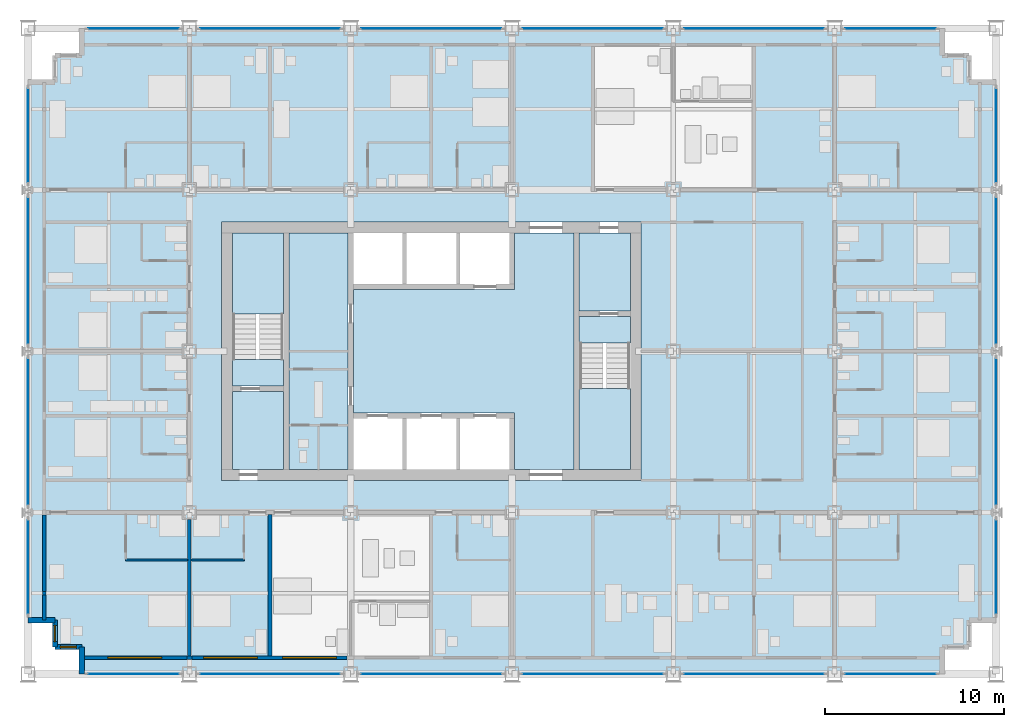
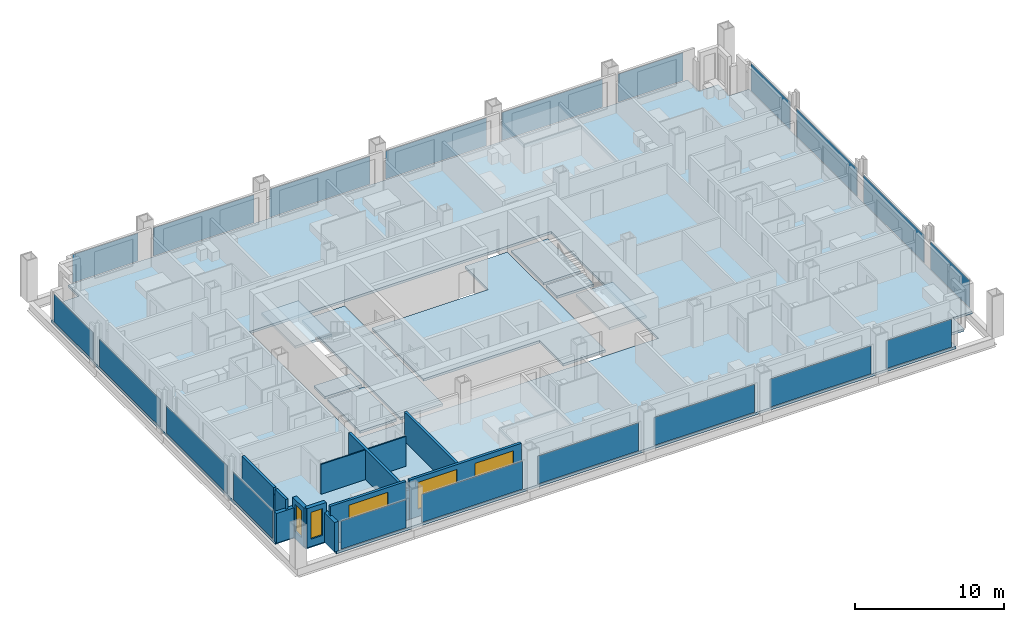
# One storey, part 9 of 18: 20 plates, 14 walls, 9 slabs, 5 windows, 5 openings, 22 elements without a shape of their own.
"""IFC4 building model written with IfcOpenShell, lengths in metres."""

from ifc_helpers import new_model, si_unit, direction, frame, frame_2d, origin, origin_2d, place, context, subcontext, project, spatial, polyline, rectangle, outline, extrude, material, layer, layer_set, type_object, element, fill, aggregate, save


model = new_model("IFC4")

# Units and contexts
model_context = context("Model", 3, precision=1e-05, world=origin(), true_north=direction((0.0, 1.0)))
body_context = subcontext(model_context, "Body", "Model", "MODEL_VIEW")
ifc_project = project(units=[si_unit("LENGTHUNIT", "METRE"), si_unit("AREAUNIT", "SQUARE_METRE"), si_unit("VOLUMEUNIT", "CUBIC_METRE"), si_unit("PLANEANGLEUNIT", "RADIAN"), si_unit("MASSUNIT", "GRAM", prefix="KILO")], contexts=[model_context])

# Site, building, storey
site_placement = place(None, origin())
site = spatial("IfcSite", under=ifc_project, at=site_placement, CompositionType="ELEMENT")
building_placement = place(site_placement, origin())
building = spatial("IfcBuilding", under=site, at=building_placement, Name="Loomwork Tower", CompositionType="ELEMENT")
storey_placement = place(building_placement, frame((0.0, 0.0, 58.60009765625)))
storey = spatial("IfcBuildingStorey", under=building, at=storey_placement, Name="L14", CompositionType="ELEMENT", Elevation=58.60009765625)

# Slabs
ifc_material_1 = material(Name="Concrete 5000 psi (34 MPa) on composite metal deck", Category="concrete")
ifc_layer_1 = layer(ifc_material_1, 0.199951171875)
ifc_layer_set_1 = layer_set([ifc_layer_1], Name="Floor slab 200")
slab_type_1 = type_object("IfcSlabType", Name="Floor slab 200", PredefinedType="FLOOR", material=ifc_layer_set_1)
slab_1_placement = place(storey_placement, frame((0.0, 0.0, -0.2001953125)))
element("IfcSlab", 1, at=slab_1_placement, inside=storey, type_object=slab_type_1, Name="Floor slab L14", PredefinedType="FLOOR", context=body_context, shape_type="SweptSolid", body=[
    extrude(outline(polyline([(3.0, 1.5), (1.5, 1.5), (1.5, 3.0), (0.0, 3.0), (0.0, 33.0), (1.5, 33.0), (1.5, 34.5), (3.0, 34.5), (3.0, 36.0), (51.0, 36.0), (51.0, 34.5), (52.5, 34.5), (52.5, 33.0), (54.0, 33.0), (54.0, 3.0), (52.5, 3.0), (52.5, 1.5), (51.0, 1.5), (51.0, 0.0), (3.0, 0.0), (3.0, 1.5)]), holes=[polyline([(10.800048828125, 11.39990234375), (10.800048828125, 11.39990234375), (10.800048828125, 10.800048828125), (34.199951171875, 10.800048828125), (34.199951171875, 11.39990234375), (34.199951171875, 11.39990234375), (34.199951171875, 24.60009765625), (34.199951171875, 25.199951171875), (10.800048828125, 25.199951171875), (10.800048828125, 24.60009765625), (10.800048828125, 11.39990234375)])]), origin(), (0.0, 0.0, 1.0), 0.2001953125),
])
slab_2_placement = place(storey_placement, frame((0.0, 0.0, -0.2001953125)))
element("IfcSlab", 2, at=slab_2_placement, inside=storey, type_object=slab_type_1, Name="Floor slab L14", PredefinedType="FLOOR", context=body_context, shape_type="SweptSolid", body=[
    extrude(outline(polyline([(30.449951171875, 24.60009765625), (30.449951171875, 11.39990234375), (27.14990234375, 11.39990234375), (27.14990234375, 14.25), (27.14990234375, 14.550048828125), (18.14990234375, 14.550048828125), (18.14990234375, 21.449951171875), (27.14990234375, 21.449951171875), (27.14990234375, 21.75), (27.14990234375, 24.60009765625), (30.449951171875, 24.60009765625)])), origin(), (0.0, 0.0, 1.0), 0.2001953125),
])
slab_3_placement = place(storey_placement, frame((0.0, 0.0, -0.2001953125)))
element("IfcSlab", 3, at=slab_3_placement, inside=storey, type_object=slab_type_1, Name="Floor slab L14", PredefinedType="FLOOR", context=body_context, shape_type="SweptSolid", body=[
    extrude(outline(polyline([(14.550048828125, 11.39990234375), (14.550048828125, 24.60009765625), (17.85009765625, 24.60009765625), (17.85009765625, 11.39990234375), (14.550048828125, 11.39990234375)])), origin(), (0.0, 0.0, 1.0), 0.2001953125),
])
slab_4_placement = place(storey_placement, frame((0.0, 0.0, -0.2001953125)))
element("IfcSlab", 4, at=slab_4_placement, inside=storey, type_object=slab_type_1, Name="Floor slab L14", PredefinedType="FLOOR", context=body_context, shape_type="SweptSolid", body=[
    extrude(outline(polyline([(33.60009765625, 20.25), (30.75, 20.25), (30.75, 24.60009765625), (33.60009765625, 24.60009765625), (33.60009765625, 20.25)])), origin(), (0.0, 0.0, 1.0), 0.2001953125),
])
slab_5_placement = place(storey_placement, frame((0.0, 0.0, -0.2001953125)))
element("IfcSlab", 5, at=slab_5_placement, inside=storey, type_object=slab_type_1, Name="Floor slab L14", PredefinedType="FLOOR", context=body_context, shape_type="SweptSolid", body=[
    extrude(outline(polyline([(14.25, 15.75), (14.25, 11.39990234375), (11.39990234375, 11.39990234375), (11.39990234375, 15.75), (14.25, 15.75)])), origin(), (0.0, 0.0, 1.0), 0.2001953125),
])

# Curtain wall, plate
ifc_material_2 = material(Name="Aluminium curtain wall frame", Category="aluminium")
curtain_wall_type = type_object("IfcCurtainWallType", Name="Outer skin glazing hotel", PredefinedType="NOTDEFINED", material=ifc_material_2)
curtain_wall_1_placement = place(storey_placement, origin())
curtain_wall_1 = element("IfcCurtainWall", 6, at=curtain_wall_1_placement, inside=storey, type_object=curtain_wall_type, Name="Outer skin glazing hotel cw/S-0", PredefinedType="NOTDEFINED")
ifc_material_3 = material(Name="Clear laminated glass", Category="glass")
ifc_layer_2 = layer(ifc_material_3, 0.02392578125)
ifc_layer_set_2 = layer_set([ifc_layer_2], Name="Outer skin glazing hotel panel")
plate_type = type_object("IfcPlateType", Name="Outer skin glazing hotel panel", PredefinedType="CURTAIN_PANEL", material=ifc_layer_set_2)
plate_1_placement = place(storey_placement, frame((5.875, 0.0, 0.06494140625), z_axis=(0.0, 0.0, 1.0), x_axis=(1.0, 0.0, 0.0)))
plate_1 = element("IfcPlate", 7, at=plate_1_placement, type_object=plate_type, Name="CW1 panel 1.1", PredefinedType="CURTAIN_PANEL", context=body_context, shape_type="SweptSolid", body=[
    extrude(rectangle(XDim=5.050048828125, YDim=0.02392578125, at=origin_2d()), origin(), (0.0, 0.0, 1.0), 2.290283203125),
])
aggregate(curtain_wall_1, [plate_1])

curtain_wall_2_placement = place(storey_placement, origin())
curtain_wall_2 = element("IfcCurtainWall", 8, at=curtain_wall_2_placement, inside=storey, type_object=curtain_wall_type, Name="Outer skin glazing hotel cw/S-9", PredefinedType="NOTDEFINED")
plate_2_placement = place(storey_placement, frame((13.5, 0.0, 0.06494140625), z_axis=(0.0, 0.0, 1.0), x_axis=(1.0, 0.0, 0.0)))
plate_2 = element("IfcPlate", 9, at=plate_2_placement, type_object=plate_type, Name="CW1 panel 1.1", PredefinedType="CURTAIN_PANEL", context=body_context, shape_type="SweptSolid", body=[
    extrude(rectangle(XDim=7.800048828125, YDim=0.02392578125, at=origin_2d()), origin(), (0.0, 0.0, 1.0), 2.290283203125),
])
aggregate(curtain_wall_2, [plate_2])

curtain_wall_3_placement = place(storey_placement, origin())
curtain_wall_3 = element("IfcCurtainWall", 10, at=curtain_wall_3_placement, inside=storey, type_object=curtain_wall_type, Name="Outer skin glazing hotel cw/S-18", PredefinedType="NOTDEFINED")
plate_3_placement = place(storey_placement, frame((22.5, 0.0, 0.06494140625), z_axis=(0.0, 0.0, 1.0), x_axis=(1.0, 0.0, 0.0)))
plate_3 = element("IfcPlate", 11, at=plate_3_placement, type_object=plate_type, Name="CW1 panel 1.1", PredefinedType="CURTAIN_PANEL", context=body_context, shape_type="SweptSolid", body=[
    extrude(rectangle(XDim=7.800048828125, YDim=0.02392578125, at=origin_2d()), origin(), (0.0, 0.0, 1.0), 2.290283203125),
])
aggregate(curtain_wall_3, [plate_3])

curtain_wall_4_placement = place(storey_placement, origin())
curtain_wall_4 = element("IfcCurtainWall", 12, at=curtain_wall_4_placement, inside=storey, type_object=curtain_wall_type, Name="Outer skin glazing hotel cw/S-27", PredefinedType="NOTDEFINED")
plate_4_placement = place(storey_placement, frame((31.5, 0.0, 0.06494140625), z_axis=(0.0, 0.0, 1.0), x_axis=(1.0, 0.0, 0.0)))
plate_4 = element("IfcPlate", 13, at=plate_4_placement, type_object=plate_type, Name="CW1 panel 1.1", PredefinedType="CURTAIN_PANEL", context=body_context, shape_type="SweptSolid", body=[
    extrude(rectangle(XDim=7.800048828125, YDim=0.02392578125, at=origin_2d()), origin(), (0.0, 0.0, 1.0), 2.290283203125),
])
aggregate(curtain_wall_4, [plate_4])

curtain_wall_5_placement = place(storey_placement, origin())
curtain_wall_5 = element("IfcCurtainWall", 14, at=curtain_wall_5_placement, inside=storey, type_object=curtain_wall_type, Name="Outer skin glazing hotel cw/S-36", PredefinedType="NOTDEFINED")
plate_5_placement = place(storey_placement, frame((40.5, 0.0, 0.06494140625), z_axis=(0.0, 0.0, 1.0), x_axis=(1.0, 0.0, 0.0)))
plate_5 = element("IfcPlate", 15, at=plate_5_placement, type_object=plate_type, Name="CW1 panel 1.1", PredefinedType="CURTAIN_PANEL", context=body_context, shape_type="SweptSolid", body=[
    extrude(rectangle(XDim=7.800048828125, YDim=0.02392578125, at=origin_2d()), origin(), (0.0, 0.0, 1.0), 2.290283203125),
])
aggregate(curtain_wall_5, [plate_5])

curtain_wall_6_placement = place(storey_placement, origin())
curtain_wall_6 = element("IfcCurtainWall", 16, at=curtain_wall_6_placement, inside=storey, type_object=curtain_wall_type, Name="Outer skin glazing hotel cw/S-45", PredefinedType="NOTDEFINED")
plate_6_placement = place(storey_placement, frame((48.125, 0.0, 0.06494140625), z_axis=(0.0, 0.0, 1.0), x_axis=(1.0, 0.0, 0.0)))
plate_6 = element("IfcPlate", 17, at=plate_6_placement, type_object=plate_type, Name="CW1 panel 1.1", PredefinedType="CURTAIN_PANEL", context=body_context, shape_type="SweptSolid", body=[
    extrude(rectangle(XDim=5.050048828125, YDim=0.02392578125, at=origin_2d()), origin(), (0.0, 0.0, 1.0), 2.290283203125),
])
aggregate(curtain_wall_6, [plate_6])

curtain_wall_7_placement = place(storey_placement, origin())
curtain_wall_7 = element("IfcCurtainWall", 18, at=curtain_wall_7_placement, inside=storey, type_object=curtain_wall_type, Name="Outer skin glazing hotel cw/N-0", PredefinedType="NOTDEFINED")
plate_7_placement = place(storey_placement, frame((5.875, 36.0, 0.06494140625), z_axis=(0.0, 0.0, 1.0), x_axis=(-1.0, 0.0, 0.0)))
plate_7 = element("IfcPlate", 19, at=plate_7_placement, type_object=plate_type, Name="CW1 panel 1.1", PredefinedType="CURTAIN_PANEL", context=body_context, shape_type="SweptSolid", body=[
    extrude(rectangle(XDim=5.050048828125, YDim=0.02392578125, at=origin_2d()), origin(), (0.0, 0.0, 1.0), 2.290283203125),
])
aggregate(curtain_wall_7, [plate_7])

curtain_wall_8_placement = place(storey_placement, origin())
curtain_wall_8 = element("IfcCurtainWall", 20, at=curtain_wall_8_placement, inside=storey, type_object=curtain_wall_type, Name="Outer skin glazing hotel cw/N-9", PredefinedType="NOTDEFINED")
plate_8_placement = place(storey_placement, frame((13.5, 36.0, 0.06494140625), z_axis=(0.0, 0.0, 1.0), x_axis=(-1.0, 0.0, 0.0)))
plate_8 = element("IfcPlate", 21, at=plate_8_placement, type_object=plate_type, Name="CW1 panel 1.1", PredefinedType="CURTAIN_PANEL", context=body_context, shape_type="SweptSolid", body=[
    extrude(rectangle(XDim=7.800048828125, YDim=0.02392578125, at=origin_2d()), origin(), (0.0, 0.0, 1.0), 2.290283203125),
])
aggregate(curtain_wall_8, [plate_8])

curtain_wall_9_placement = place(storey_placement, origin())
curtain_wall_9 = element("IfcCurtainWall", 22, at=curtain_wall_9_placement, inside=storey, type_object=curtain_wall_type, Name="Outer skin glazing hotel cw/N-18", PredefinedType="NOTDEFINED")
plate_9_placement = place(storey_placement, frame((22.5, 36.0, 0.06494140625), z_axis=(0.0, 0.0, 1.0), x_axis=(-1.0, 0.0, 0.0)))
plate_9 = element("IfcPlate", 23, at=plate_9_placement, type_object=plate_type, Name="CW1 panel 1.1", PredefinedType="CURTAIN_PANEL", context=body_context, shape_type="SweptSolid", body=[
    extrude(rectangle(XDim=7.800048828125, YDim=0.02392578125, at=origin_2d()), origin(), (0.0, 0.0, 1.0), 2.290283203125),
])
aggregate(curtain_wall_9, [plate_9])

curtain_wall_10_placement = place(storey_placement, origin())
curtain_wall_10 = element("IfcCurtainWall", 24, at=curtain_wall_10_placement, inside=storey, type_object=curtain_wall_type, Name="Outer skin glazing hotel cw/N-27", PredefinedType="NOTDEFINED")
plate_10_placement = place(storey_placement, frame((31.5, 36.0, 0.06494140625), z_axis=(0.0, 0.0, 1.0), x_axis=(-1.0, 0.0, 0.0)))
plate_10 = element("IfcPlate", 25, at=plate_10_placement, type_object=plate_type, Name="CW1 panel 1.1", PredefinedType="CURTAIN_PANEL", context=body_context, shape_type="SweptSolid", body=[
    extrude(rectangle(XDim=7.800048828125, YDim=0.02392578125, at=origin_2d()), origin(), (0.0, 0.0, 1.0), 2.290283203125),
])
aggregate(curtain_wall_10, [plate_10])

curtain_wall_11_placement = place(storey_placement, origin())
curtain_wall_11 = element("IfcCurtainWall", 26, at=curtain_wall_11_placement, inside=storey, type_object=curtain_wall_type, Name="Outer skin glazing hotel cw/N-36", PredefinedType="NOTDEFINED")
plate_11_placement = place(storey_placement, frame((40.5, 36.0, 0.06494140625), z_axis=(0.0, 0.0, 1.0), x_axis=(-1.0, 0.0, 0.0)))
plate_11 = element("IfcPlate", 27, at=plate_11_placement, type_object=plate_type, Name="CW1 panel 1.1", PredefinedType="CURTAIN_PANEL", context=body_context, shape_type="SweptSolid", body=[
    extrude(rectangle(XDim=7.800048828125, YDim=0.02392578125, at=origin_2d()), origin(), (0.0, 0.0, 1.0), 2.290283203125),
])
aggregate(curtain_wall_11, [plate_11])

curtain_wall_12_placement = place(storey_placement, origin())
curtain_wall_12 = element("IfcCurtainWall", 28, at=curtain_wall_12_placement, inside=storey, type_object=curtain_wall_type, Name="Outer skin glazing hotel cw/N-45", PredefinedType="NOTDEFINED")
plate_12_placement = place(storey_placement, frame((48.125, 36.0, 0.06494140625), z_axis=(0.0, 0.0, 1.0), x_axis=(-1.0, 0.0, 0.0)))
plate_12 = element("IfcPlate", 29, at=plate_12_placement, type_object=plate_type, Name="CW1 panel 1.1", PredefinedType="CURTAIN_PANEL", context=body_context, shape_type="SweptSolid", body=[
    extrude(rectangle(XDim=5.050048828125, YDim=0.02392578125, at=origin_2d()), origin(), (0.0, 0.0, 1.0), 2.290283203125),
])
aggregate(curtain_wall_12, [plate_12])

curtain_wall_13_placement = place(storey_placement, origin())
curtain_wall_13 = element("IfcCurtainWall", 30, at=curtain_wall_13_placement, inside=storey, type_object=curtain_wall_type, Name="Outer skin glazing hotel cw/W-0", PredefinedType="NOTDEFINED")
plate_13_placement = place(storey_placement, frame((0.0, 5.96142578125, 0.06494140625), z_axis=(0.0, 0.0, 1.0), x_axis=(0.0, -1.0, 0.0)))
plate_13 = element("IfcPlate", 31, at=plate_13_placement, type_object=plate_type, Name="CW1 panel 1.1", PredefinedType="CURTAIN_PANEL", context=body_context, shape_type="SweptSolid", body=[
    extrude(rectangle(XDim=5.22265625, YDim=0.02392578125, at=origin_2d()), origin(), (0.0, 0.0, 1.0), 2.290283203125),
])
aggregate(curtain_wall_13, [plate_13])

curtain_wall_14_placement = place(storey_placement, origin())
curtain_wall_14 = element("IfcCurtainWall", 32, at=curtain_wall_14_placement, inside=storey, type_object=curtain_wall_type, Name="Outer skin glazing hotel cw/W-9", PredefinedType="NOTDEFINED")
plate_14_placement = place(storey_placement, frame((0.0, 13.5, 0.06494140625), z_axis=(0.0, 0.0, 1.0), x_axis=(0.0, -1.0, 0.0)))
plate_14 = element("IfcPlate", 33, at=plate_14_placement, type_object=plate_type, Name="CW1 panel 1.1", PredefinedType="CURTAIN_PANEL", context=body_context, shape_type="SweptSolid", body=[
    extrude(rectangle(XDim=8.1455078125, YDim=0.02392578125, at=origin_2d()), origin(), (0.0, 0.0, 1.0), 2.290283203125),
])
aggregate(curtain_wall_14, [plate_14])

curtain_wall_15_placement = place(storey_placement, origin())
curtain_wall_15 = element("IfcCurtainWall", 34, at=curtain_wall_15_placement, inside=storey, type_object=curtain_wall_type, Name="Outer skin glazing hotel cw/W-18", PredefinedType="NOTDEFINED")
plate_15_placement = place(storey_placement, frame((0.0, 22.5, 0.06494140625), z_axis=(0.0, 0.0, 1.0), x_axis=(0.0, -1.0, 0.0)))
plate_15 = element("IfcPlate", 35, at=plate_15_placement, type_object=plate_type, Name="CW1 panel 1.1", PredefinedType="CURTAIN_PANEL", context=body_context, shape_type="SweptSolid", body=[
    extrude(rectangle(XDim=8.1455078125, YDim=0.02392578125, at=origin_2d()), origin(), (0.0, 0.0, 1.0), 2.290283203125),
])
aggregate(curtain_wall_15, [plate_15])

curtain_wall_16_placement = place(storey_placement, origin())
curtain_wall_16 = element("IfcCurtainWall", 36, at=curtain_wall_16_placement, inside=storey, type_object=curtain_wall_type, Name="Outer skin glazing hotel cw/W-27", PredefinedType="NOTDEFINED")
plate_16_placement = place(storey_placement, frame((0.0, 30.03857421875, 0.06494140625), z_axis=(0.0, 0.0, 1.0), x_axis=(0.0, -1.0, 0.0)))
plate_16 = element("IfcPlate", 37, at=plate_16_placement, type_object=plate_type, Name="CW1 panel 1.1", PredefinedType="CURTAIN_PANEL", context=body_context, shape_type="SweptSolid", body=[
    extrude(rectangle(XDim=5.22265625, YDim=0.02392578125, at=origin_2d()), origin(), (0.0, 0.0, 1.0), 2.290283203125),
])
aggregate(curtain_wall_16, [plate_16])

curtain_wall_17_placement = place(storey_placement, origin())
curtain_wall_17 = element("IfcCurtainWall", 38, at=curtain_wall_17_placement, inside=storey, type_object=curtain_wall_type, Name="Outer skin glazing hotel cw/E-0", PredefinedType="NOTDEFINED")
plate_17_placement = place(storey_placement, frame((54.0, 5.96142578125, 0.06494140625), z_axis=(0.0, 0.0, 1.0), x_axis=(0.0, 1.0, 0.0)))
plate_17 = element("IfcPlate", 39, at=plate_17_placement, type_object=plate_type, Name="CW1 panel 1.1", PredefinedType="CURTAIN_PANEL", context=body_context, shape_type="SweptSolid", body=[
    extrude(rectangle(XDim=5.22265625, YDim=0.02392578125, at=origin_2d()), origin(), (0.0, 0.0, 1.0), 2.290283203125),
])
aggregate(curtain_wall_17, [plate_17])

curtain_wall_18_placement = place(storey_placement, origin())
curtain_wall_18 = element("IfcCurtainWall", 40, at=curtain_wall_18_placement, inside=storey, type_object=curtain_wall_type, Name="Outer skin glazing hotel cw/E-9", PredefinedType="NOTDEFINED")
plate_18_placement = place(storey_placement, frame((54.0, 13.5, 0.06494140625), z_axis=(0.0, 0.0, 1.0), x_axis=(0.0, 1.0, 0.0)))
plate_18 = element("IfcPlate", 41, at=plate_18_placement, type_object=plate_type, Name="CW1 panel 1.1", PredefinedType="CURTAIN_PANEL", context=body_context, shape_type="SweptSolid", body=[
    extrude(rectangle(XDim=8.1455078125, YDim=0.02392578125, at=origin_2d()), origin(), (0.0, 0.0, 1.0), 2.290283203125),
])
aggregate(curtain_wall_18, [plate_18])

curtain_wall_19_placement = place(storey_placement, origin())
curtain_wall_19 = element("IfcCurtainWall", 42, at=curtain_wall_19_placement, inside=storey, type_object=curtain_wall_type, Name="Outer skin glazing hotel cw/E-18", PredefinedType="NOTDEFINED")
plate_19_placement = place(storey_placement, frame((54.0, 22.5, 0.06494140625), z_axis=(0.0, 0.0, 1.0), x_axis=(0.0, 1.0, 0.0)))
plate_19 = element("IfcPlate", 43, at=plate_19_placement, type_object=plate_type, Name="CW1 panel 1.1", PredefinedType="CURTAIN_PANEL", context=body_context, shape_type="SweptSolid", body=[
    extrude(rectangle(XDim=8.1455078125, YDim=0.02392578125, at=origin_2d()), origin(), (0.0, 0.0, 1.0), 2.290283203125),
])
aggregate(curtain_wall_19, [plate_19])

curtain_wall_20_placement = place(storey_placement, origin())
curtain_wall_20 = element("IfcCurtainWall", 44, at=curtain_wall_20_placement, inside=storey, type_object=curtain_wall_type, Name="Outer skin glazing hotel cw/E-27", PredefinedType="NOTDEFINED")
plate_20_placement = place(storey_placement, frame((54.0, 30.03857421875, 0.06494140625), z_axis=(0.0, 0.0, 1.0), x_axis=(0.0, 1.0, 0.0)))
plate_20 = element("IfcPlate", 45, at=plate_20_placement, type_object=plate_type, Name="CW1 panel 1.1", PredefinedType="CURTAIN_PANEL", context=body_context, shape_type="SweptSolid", body=[
    extrude(rectangle(XDim=5.22265625, YDim=0.02392578125, at=origin_2d()), origin(), (0.0, 0.0, 1.0), 2.290283203125),
])
aggregate(curtain_wall_20, [plate_20])

# Stair, slabs
ifc_material_4 = material(Name="Concrete 5000 psi (34 MPa) precast stair", Category="concrete")
stair_type_1 = type_object("IfcStairType", Name="Stair ST-A 20 risers 2850 wide", PredefinedType="HALF_TURN_STAIR", material=ifc_material_4)
stair_1_placement = place(storey_placement, origin())
stair_1 = element("IfcStair", 46, at=stair_1_placement, inside=storey, type_object=stair_type_1, Name="Stair A L14", PredefinedType="HALF_TURN_STAIR")
ifc_material_5 = material(Name="Concrete 5000 psi (34 MPa)", Category="concrete")
ifc_layer_3 = layer(ifc_material_5, 0.199951171875)
ifc_layer_set_3 = layer_set([ifc_layer_3], Name="Stair landing 200")
slab_type_2 = type_object("IfcSlabType", Name="Stair landing 200", PredefinedType="LANDING", material=ifc_layer_set_3)
slab_6_placement = place(storey_placement, frame((0.0, 0.0, -0.2001953125)))
slab_6 = element("IfcSlab", 47, at=slab_6_placement, type_object=slab_type_2, Name="ST-A landing 1", PredefinedType="LANDING", context=body_context, shape_type="SweptSolid", body=[
    extrude(outline(polyline([(11.39990234375, 16.050048828125), (14.25, 16.050048828125), (14.25, 17.550048828125), (11.39990234375, 17.550048828125), (11.39990234375, 16.050048828125)])), origin(), (0.0, 0.0, 1.0), 0.2001953125),
])
slab_7_placement = place(storey_placement, frame((0.0, 0.0, 1.5)))
slab_7 = element("IfcSlab", 48, at=slab_7_placement, type_object=slab_type_2, Name="ST-A landing 2", PredefinedType="LANDING", context=body_context, shape_type="SweptSolid", body=[
    extrude(outline(polyline([(11.39990234375, 20.070068359375), (14.25, 20.070068359375), (14.25, 24.60009765625), (11.39990234375, 24.60009765625), (11.39990234375, 20.070068359375)])), origin(), (0.0, 0.0, 1.0), 0.199951171875),
])
aggregate(stair_1, [slab_6, slab_7])

ifc_material_6 = material(Name="Concrete 5000 psi (34 MPa) precast stair", Category="concrete")
stair_type_2 = type_object("IfcStairType", Name="Stair ST-B 20 risers 2850 wide", PredefinedType="HALF_TURN_STAIR", material=ifc_material_6)
stair_2_placement = place(storey_placement, origin())
stair_2 = element("IfcStair", 49, at=stair_2_placement, inside=storey, type_object=stair_type_2, Name="Stair B L14", PredefinedType="HALF_TURN_STAIR")
slab_8_placement = place(storey_placement, frame((0.0, 0.0, -0.2001953125)))
slab_8 = element("IfcSlab", 50, at=slab_8_placement, type_object=slab_type_2, Name="ST-B landing 1", PredefinedType="LANDING", context=body_context, shape_type="SweptSolid", body=[
    extrude(outline(polyline([(30.75, 18.449951171875), (33.60009765625, 18.449951171875), (33.60009765625, 19.949951171875), (30.75, 19.949951171875), (30.75, 18.449951171875)])), origin(), (0.0, 0.0, 1.0), 0.2001953125),
])
slab_9_placement = place(storey_placement, frame((0.0, 0.0, 1.5)))
slab_9 = element("IfcSlab", 51, at=slab_9_placement, type_object=slab_type_2, Name="ST-B landing 2", PredefinedType="LANDING", context=body_context, shape_type="SweptSolid", body=[
    extrude(outline(polyline([(30.75, 11.39990234375), (33.60009765625, 11.39990234375), (33.60009765625, 15.929931640625), (30.75, 15.929931640625), (30.75, 11.39990234375)])), origin(), (0.0, 0.0, 1.0), 0.199951171875),
])
aggregate(stair_2, [slab_8, slab_9])

# Walls
ifc_material_7 = material(Name="Cement board on steel studs", Category="steel")
ifc_layer_4 = layer(ifc_material_7, 0.10009765625)
ifc_layer_set_4 = layer_set([ifc_layer_4], Name="En-suite partition 100")
wall_type_1 = type_object("IfcWallType", Name="En-suite partition 100", PredefinedType="PARTITIONING", material=ifc_layer_set_4)
wall_1_placement = place(storey_placement, frame((5.449951171875, 6.35009765625, 0.0), z_axis=(0.0, 0.0, 1.0), x_axis=(1.0, 0.0, 0.0)))
element("IfcWall", 52, at=wall_1_placement, inside=storey, type_object=wall_type_1, Name="En-suite wall L14 room 1", PredefinedType="PARTITIONING", context=body_context, shape_type="SweptSolid", body=[
    extrude(rectangle(XDim=3.449951171875, YDim=0.10009765625, at=frame_2d((1.72509765625, 0.0))), origin(), (0.0, 0.0, 1.0), 2.43798828125),
])
wall_2_placement = place(storey_placement, frame((9.10009765625, 6.35009765625, 0.0), z_axis=(0.0, 0.0, 1.0), x_axis=(1.0, 0.0, 0.0)))
element("IfcWall", 53, at=wall_2_placement, inside=storey, type_object=wall_type_1, Name="En-suite wall L14 room 2", PredefinedType="PARTITIONING", context=body_context, shape_type="SweptSolid", body=[
    extrude(rectangle(XDim=2.949951171875, YDim=0.10009765625, at=frame_2d((1.47509765625, 0.0))), origin(), (0.0, 0.0, 1.0), 2.43798828125),
])
ifc_material_8 = material(Name="Gypsum board on steel studs, acoustic", Category="steel")
ifc_layer_5 = layer(ifc_material_8, 0.199951171875)
ifc_layer_set_5 = layer_set([ifc_layer_5], Name="Guest room party wall 200")
wall_type_2 = type_object("IfcWallType", Name="Guest room party wall 200", PredefinedType="PARTITIONING", material=ifc_layer_set_5)
wall_3_placement = place(storey_placement, frame((9.0, 8.60009765625, 0.0), z_axis=(0.0, 0.0, 1.0), x_axis=(0.0, -1.0, 0.0)))
element("IfcWall", 54, at=wall_3_placement, inside=storey, type_object=wall_type_2, Name="Guest room party wall S 9", PredefinedType="PARTITIONING", context=body_context, shape_type="SweptSolid", body=[
    extrude(rectangle(XDim=7.60009765625, YDim=0.199951171875, at=frame_2d((3.800048828125, 0.0))), origin(), (0.0, 0.0, 1.0), 2.43798828125),
])
wall_4_placement = place(storey_placement, frame((13.5, 8.89990234375, 0.0), z_axis=(0.0, 0.0, 1.0), x_axis=(0.0, -1.0, 0.0)))
element("IfcWall", 55, at=wall_4_placement, inside=storey, type_object=wall_type_2, Name="Guest room party wall S 13.5", PredefinedType="PARTITIONING", context=body_context, shape_type="SweptSolid", body=[
    extrude(rectangle(XDim=7.89990234375, YDim=0.199951171875, at=frame_2d((3.949951171875, 0.0))), origin(), (0.0, 0.0, 1.0), 2.40380859375),
])

# Wall, opening, window
ifc_material_9 = material(Name="Insulated steel stud wall with gypsum lining", Category="steel")
ifc_layer_6 = layer(ifc_material_9, 0.199951171875)
ifc_layer_set_6 = layer_set([ifc_layer_6], Name="Inner skin wall 200")
wall_type_3 = type_object("IfcWallType", Name="Inner skin wall 200", PredefinedType="SOLIDWALL", material=ifc_layer_set_6)
wall_5_placement = place(storey_placement, frame((3.0, 0.89990234375, 0.0), z_axis=(0.0, 0.0, 1.0), x_axis=(1.0, 0.0, 0.0)))
wall_5 = element("IfcWall", 56, at=wall_5_placement, inside=storey, type_object=wall_type_3, Name="Inner skin wall S", PredefinedType="SOLIDWALL", context=body_context, shape_type="SweptSolid", body=[
    extrude(rectangle(XDim=5.86474609375, YDim=0.199951171875, at=frame_2d((2.932373046875, 0.0))), origin(), (0.0, 0.0, 1.0), 3.199951171875),
])
opening_1_placement = place(wall_5_placement, frame((1.449951171875, 0.0, 0.60009765625)))
opening_1 = element("IfcOpeningElement", 57, at=opening_1_placement, cuts=wall_5, Name="Opening CH1", PredefinedType="OPENING", context=body_context, shape_type="SweptSolid", body=[
    extrude(rectangle(XDim=3.0, YDim=2.199951171875, at=frame_2d((1.5, 1.10009765625))), frame((0.0, 0.10986328125, 0.0), z_axis=(0.0, -1.0, 0.0), x_axis=(1.0, 0.0, 0.0)), (0.0, 0.0, 1.0), 0.219970703125),
])
ifc_material_10 = material(Name="Aluminium frame with clear insulated glass", Category="aluminium")
window_type_1 = type_object("IfcWindowType", Name="Chicago window 3000", PartitioningType="TRIPLE_PANEL_VERTICAL", PredefinedType="WINDOW", material=ifc_material_10)
window_1_placement = place(opening_1_placement, origin())
window_1 = element("IfcWindow", 58, at=window_1_placement, inside=storey, type_object=window_type_1, Name="Chicago window L14 bay 1", OverallHeight=2.199951171875, OverallWidth=3.0, PartitioningType="TRIPLE_PANEL_VERTICAL", PredefinedType="WINDOW", context=body_context, shape_type="SweptSolid", body=[
    extrude(rectangle(XDim=3.0, YDim=2.199951171875, at=frame_2d((1.5, 1.10009765625))), frame((0.0, 0.030029296875, 0.0), z_axis=(0.0, -1.0, 0.0), x_axis=(1.0, 0.0, 0.0)), (0.0, 0.0, 1.0), 0.06005859375),
])
fill(opening_1, window_1)

# Walls
wall_6_placement = place(storey_placement, frame((0.89990234375, 3.0, 0.0), z_axis=(0.0, 0.0, 1.0), x_axis=(0.0, 1.0, 0.0)))
element("IfcWall", 59, at=wall_6_placement, inside=storey, type_object=wall_type_3, Name="Inner skin wall W", PredefinedType="SOLIDWALL", context=body_context, shape_type="SweptSolid", body=[
    extrude(rectangle(XDim=1.392578125, YDim=0.199951171875, at=frame_2d((0.6962890625, 0.0))), origin(), (0.0, 0.0, 1.0), 3.199951171875),
])
wall_7_placement = place(storey_placement, frame((8.86474609375, 0.89990234375, 0.0), z_axis=(0.0, 0.0, 1.0), x_axis=(1.0, 0.0, 0.0)))
element("IfcWall", 60, at=wall_7_placement, inside=storey, type_object=wall_type_3, Name="Inner skin wall S bay 2", PredefinedType="SOLIDWALL", context=body_context, shape_type="SweptSolid", body=[
    extrude(rectangle(XDim=0.2705078125, YDim=0.199951171875, at=frame_2d((0.13525390625, 0.0))), origin(), (0.0, 0.0, 1.0), 2.43798828125),
])

# Wall, openings, windows
wall_8_placement = place(storey_placement, frame((9.13525390625, 0.89990234375, 0.0), z_axis=(0.0, 0.0, 1.0), x_axis=(1.0, 0.0, 0.0)))
wall_8 = element("IfcWall", 61, at=wall_8_placement, inside=storey, type_object=wall_type_3, Name="Inner skin wall S bay 3", PredefinedType="SOLIDWALL", context=body_context, shape_type="SweptSolid", body=[
    extrude(rectangle(XDim=8.6708984375, YDim=0.199951171875, at=frame_2d((4.33544921875, 0.0))), origin(), (0.0, 0.0, 1.0), 3.199951171875),
])
opening_2_placement = place(wall_8_placement, frame((0.664794921875, 0.0, 0.60009765625)))
opening_2 = element("IfcOpeningElement", 62, at=opening_2_placement, cuts=wall_8, Name="Opening CH1", PredefinedType="OPENING", context=body_context, shape_type="SweptSolid", body=[
    extrude(rectangle(XDim=3.0, YDim=2.199951171875, at=frame_2d((1.5, 1.10009765625))), frame((0.0, 0.10986328125, 0.0), z_axis=(0.0, -1.0, 0.0), x_axis=(1.0, 0.0, 0.0)), (0.0, 0.0, 1.0), 0.219970703125),
])
opening_3_placement = place(wall_8_placement, frame((5.064697265625, 0.0, 0.60009765625)))
opening_3 = element("IfcOpeningElement", 63, at=opening_3_placement, cuts=wall_8, Name="Opening CH1", PredefinedType="OPENING", context=body_context, shape_type="SweptSolid", body=[
    extrude(rectangle(XDim=3.0, YDim=2.199951171875, at=frame_2d((1.5, 1.10009765625))), frame((0.0, 0.10986328125, 0.0), z_axis=(0.0, -1.0, 0.0), x_axis=(1.0, 0.0, 0.0)), (0.0, 0.0, 1.0), 0.219970703125),
])
window_2_placement = place(opening_2_placement, origin())
window_2 = element("IfcWindow", 64, at=window_2_placement, inside=storey, type_object=window_type_1, Name="Chicago window L14 bay 2", OverallHeight=2.199951171875, OverallWidth=3.0, PartitioningType="TRIPLE_PANEL_VERTICAL", PredefinedType="WINDOW", context=body_context, shape_type="SweptSolid", body=[
    extrude(rectangle(XDim=3.0, YDim=2.199951171875, at=frame_2d((1.5, 1.10009765625))), frame((0.0, 0.030029296875, 0.0), z_axis=(0.0, -1.0, 0.0), x_axis=(1.0, 0.0, 0.0)), (0.0, 0.0, 1.0), 0.06005859375),
])
fill(opening_2, window_2)
window_3_placement = place(opening_3_placement, origin())
window_3 = element("IfcWindow", 65, at=window_3_placement, inside=storey, type_object=window_type_1, Name="Chicago window L14 bay 2", OverallHeight=2.199951171875, OverallWidth=3.0, PartitioningType="TRIPLE_PANEL_VERTICAL", PredefinedType="WINDOW", context=body_context, shape_type="SweptSolid", body=[
    extrude(rectangle(XDim=3.0, YDim=2.199951171875, at=frame_2d((1.5, 1.10009765625))), frame((0.0, 0.030029296875, 0.0), z_axis=(0.0, -1.0, 0.0), x_axis=(1.0, 0.0, 0.0)), (0.0, 0.0, 1.0), 0.06005859375),
])
fill(opening_3, window_3)

# Walls
wall_9_placement = place(storey_placement, frame((0.89990234375, 4.392578125, 0.0), z_axis=(0.0, 0.0, 1.0), x_axis=(0.0, 1.0, 0.0)))
element("IfcWall", 66, at=wall_9_placement, inside=storey, type_object=wall_type_3, Name="Inner skin wall W bay 2", PredefinedType="SOLIDWALL", context=body_context, shape_type="SweptSolid", body=[
    extrude(rectangle(XDim=0.21484375, YDim=0.199951171875, at=frame_2d((0.107421875, 0.0))), origin(), (0.0, 0.0, 1.0), 2.660888671875),
])
wall_10_placement = place(storey_placement, frame((0.89990234375, 4.607421875, 0.0), z_axis=(0.0, 0.0, 1.0), x_axis=(0.0, 1.0, 0.0)))
element("IfcWall", 67, at=wall_10_placement, inside=storey, type_object=wall_type_3, Name="Inner skin wall W bay 3", PredefinedType="SOLIDWALL", context=body_context, shape_type="SweptSolid", body=[
    extrude(rectangle(XDim=4.25732421875, YDim=0.199951171875, at=frame_2d((2.128662109375, 0.0))), origin(), (0.0, 0.0, 1.0), 3.199951171875),
])
ifc_material_11 = material(Name="Limestone on concrete masonry", Category="masonry")
ifc_layer_7 = layer(ifc_material_11, 0.300048828125)
ifc_layer_set_7 = layer_set([ifc_layer_7], Name="Limestone corner wall 300")
wall_type_4 = type_object("IfcWallType", Name="Limestone corner wall 300", PredefinedType="SOLIDWALL", material=ifc_layer_set_7)
wall_11_placement = place(storey_placement, frame((0.0, 3.0, 0.0), z_axis=(0.0, 0.0, 1.0), x_axis=(1.0, 0.0, 0.0)))
element("IfcWall", 68, at=wall_11_placement, inside=storey, type_object=wall_type_4, Name="Stone corner wall SW 1", PredefinedType="SOLIDWALL", context=body_context, shape_type="SweptSolid", body=[
    extrude(rectangle(XDim=1.5, YDim=0.300048828125, at=frame_2d((0.75, 0.0))), origin(), (0.0, 0.0, 1.0), 2.419921875),
])

# Wall, opening, window
wall_12_placement = place(storey_placement, frame((1.5, 3.0, 0.0), z_axis=(0.0, 0.0, 1.0), x_axis=(0.0, -1.0, 0.0)))
wall_12 = element("IfcWall", 69, at=wall_12_placement, inside=storey, type_object=wall_type_4, Name="Stone corner wall SW 2", PredefinedType="SOLIDWALL", context=body_context, shape_type="SweptSolid", body=[
    extrude(rectangle(XDim=1.5, YDim=0.300048828125, at=frame_2d((0.75, 0.0))), origin(), (0.0, 0.0, 1.0), 3.199951171875),
])
opening_4_placement = place(wall_12_placement, frame((0.300048828125, 0.0, 0.60009765625)))
opening_4 = element("IfcOpeningElement", 70, at=opening_4_placement, cuts=wall_12, Name="Opening CH2", PredefinedType="OPENING", context=body_context, shape_type="SweptSolid", body=[
    extrude(rectangle(XDim=0.89990234375, YDim=2.199951171875, at=frame_2d((0.449951171875, 1.10009765625))), frame((0.0, 0.159912109375, 0.0), z_axis=(0.0, -1.0, 0.0), x_axis=(1.0, 0.0, 0.0)), (0.0, 0.0, 1.0), 0.320068359375),
])
ifc_material_12 = material(Name="Aluminium frame with clear insulated glass", Category="aluminium")
window_type_2 = type_object("IfcWindowType", Name="Corner window 900", PartitioningType="SINGLE_PANEL", PredefinedType="WINDOW", material=ifc_material_12)
window_4_placement = place(opening_4_placement, origin())
window_4 = element("IfcWindow", 71, at=window_4_placement, inside=storey, type_object=window_type_2, Name="Corner window SW", OverallHeight=2.199951171875, OverallWidth=0.89990234375, PartitioningType="SINGLE_PANEL", PredefinedType="WINDOW", context=body_context, shape_type="SweptSolid", body=[
    extrude(rectangle(XDim=0.89990234375, YDim=2.199951171875, at=frame_2d((0.449951171875, 1.10009765625))), frame((0.0, 0.030029296875, 0.0), z_axis=(0.0, -1.0, 0.0), x_axis=(1.0, 0.0, 0.0)), (0.0, 0.0, 1.0), 0.06005859375),
])
fill(opening_4, window_4)

wall_13_placement = place(storey_placement, frame((1.5, 1.5, 0.0), z_axis=(0.0, 0.0, 1.0), x_axis=(1.0, 0.0, 0.0)))
wall_13 = element("IfcWall", 72, at=wall_13_placement, inside=storey, type_object=wall_type_4, Name="Stone corner wall SW 3", PredefinedType="SOLIDWALL", context=body_context, shape_type="SweptSolid", body=[
    extrude(rectangle(XDim=1.5, YDim=0.300048828125, at=frame_2d((0.75, 0.0))), origin(), (0.0, 0.0, 1.0), 3.199951171875),
])
opening_5_placement = place(wall_13_placement, frame((0.300048828125, 0.0, 0.60009765625)))
opening_5 = element("IfcOpeningElement", 73, at=opening_5_placement, cuts=wall_13, Name="Opening CH2", PredefinedType="OPENING", context=body_context, shape_type="SweptSolid", body=[
    extrude(rectangle(XDim=0.89990234375, YDim=2.199951171875, at=frame_2d((0.449951171875, 1.10009765625))), frame((0.0, 0.159912109375, 0.0), z_axis=(0.0, -1.0, 0.0), x_axis=(1.0, 0.0, 0.0)), (0.0, 0.0, 1.0), 0.320068359375),
])
window_5_placement = place(opening_5_placement, origin())
window_5 = element("IfcWindow", 74, at=window_5_placement, inside=storey, type_object=window_type_2, Name="Corner window SW", OverallHeight=2.199951171875, OverallWidth=0.89990234375, PartitioningType="SINGLE_PANEL", PredefinedType="WINDOW", context=body_context, shape_type="SweptSolid", body=[
    extrude(rectangle(XDim=0.89990234375, YDim=2.199951171875, at=frame_2d((0.449951171875, 1.10009765625))), frame((0.0, 0.030029296875, 0.0), z_axis=(0.0, -1.0, 0.0), x_axis=(1.0, 0.0, 0.0)), (0.0, 0.0, 1.0), 0.06005859375),
])
fill(opening_5, window_5)

# Wall
wall_14_placement = place(storey_placement, frame((3.0, 1.5, 0.0), z_axis=(0.0, 0.0, 1.0), x_axis=(0.0, -1.0, 0.0)))
element("IfcWall", 75, at=wall_14_placement, inside=storey, type_object=wall_type_4, Name="Stone corner wall SW 4", PredefinedType="SOLIDWALL", context=body_context, shape_type="SweptSolid", body=[
    extrude(rectangle(XDim=1.5, YDim=0.300048828125, at=frame_2d((0.75, 0.0))), origin(), (0.0, 0.0, 1.0), 2.419921875),
])

save(model, "model.ifc")
